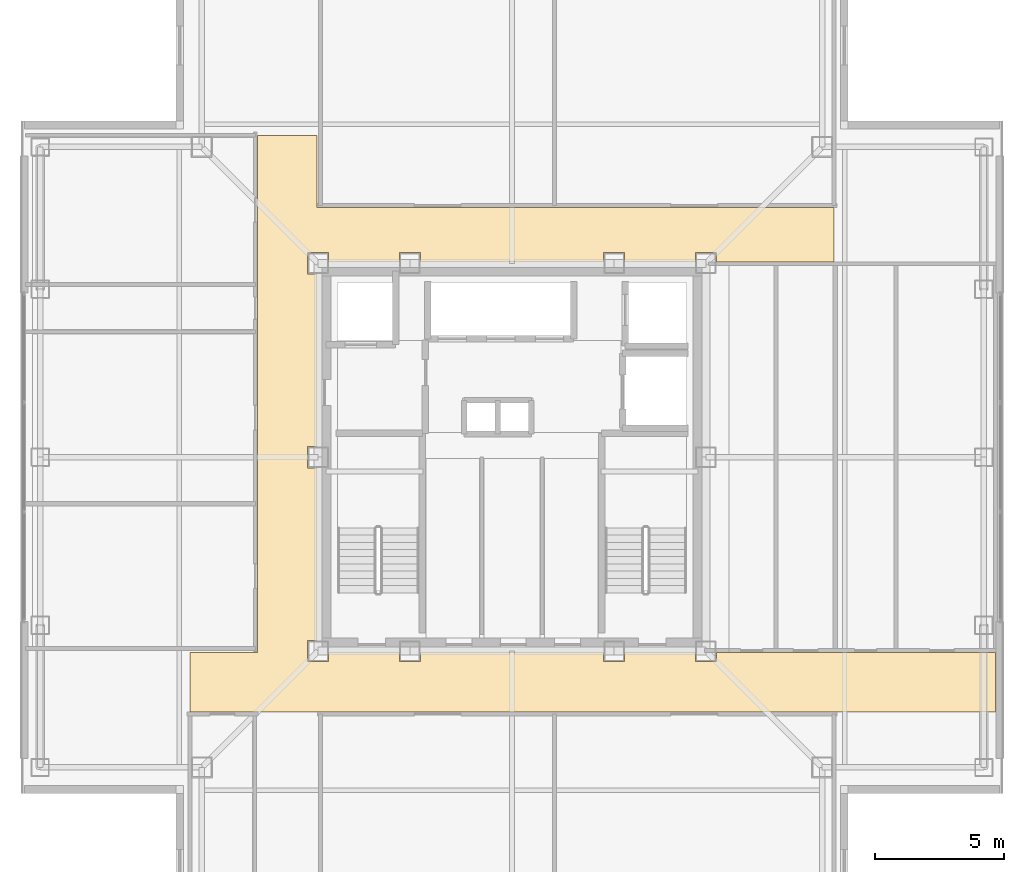
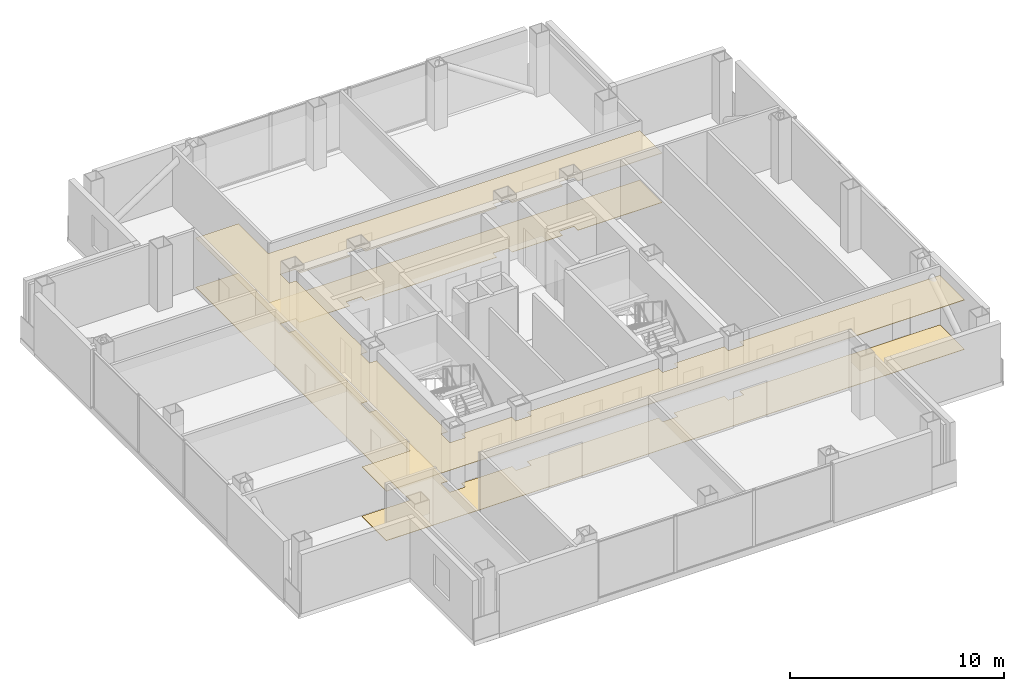
# One storey, part 14 of 16: 2 coverings.
"""IFC4 building model written with IfcOpenShell, lengths in metres."""

from ifc_helpers import new_model, si_unit, direction, frame, origin, place, context, subcontext, project, spatial, polyline, outline, extrude, material, layer, layer_set, type_object, element, save


model = new_model("IFC4")

# Units and contexts
model_context = context("Model", 3, precision=1e-05, world=origin(), true_north=direction((0.0, 1.0)))
body_context = subcontext(model_context, "Body", "Model", "MODEL_VIEW")
ifc_project = project(units=[si_unit("LENGTHUNIT", "METRE"), si_unit("AREAUNIT", "SQUARE_METRE"), si_unit("VOLUMEUNIT", "CUBIC_METRE"), si_unit("PLANEANGLEUNIT", "RADIAN"), si_unit("MASSUNIT", "GRAM", prefix="KILO")], contexts=[model_context])

# Site, building, storey
site_placement = place(None, origin())
site = spatial("IfcSite", under=ifc_project, at=site_placement, CompositionType="ELEMENT")
building_placement = place(site_placement, origin())
building = spatial("IfcBuilding", under=site, at=building_placement, Name="Trevonay Congress Spire", CompositionType="ELEMENT")
storey_placement = place(building_placement, frame((0.0, 0.0, 279.199951171875)))
storey = spatial("IfcBuildingStorey", under=building, at=storey_placement, Name="L73", CompositionType="ELEMENT", Elevation=279.199951171875)

# Coverings
ifc_material_1 = material(Name="Acoustic Mineral Fibre Board", Category="gypsum")
ifc_layer_1 = layer(ifc_material_1, 0.02490234375, Name="Acoustic Mineral Fibre Board")
ifc_layer_set_1 = layer_set([ifc_layer_1], Name="Acoustic Mineral Fibre Board")
covering_type_1 = type_object("IfcCoveringType", Name="COV-CEIL-ACOUSTIC", PredefinedType="CEILING", material=ifc_layer_set_1)
covering_1_placement = place(storey_placement, frame((0.0, 0.0, 2.81005859375)))
element("IfcCovering", 1, at=covering_1_placement, inside=storey, type_object=covering_type_1, Name="L73 Cruciform Boulevard Corridor acoustic suspended ceiling", PredefinedType="CEILING", context=body_context, shape_type="SweptSolid", body=[
    extrude(outline(polyline([(18.699951171875, -7.550048828125), (18.699951171875, -9.85009765625), (-12.449951171875, -9.85009765625), (-12.449951171875, -7.550048828125), (-9.85009765625, -7.550048828125), (-9.85009765625, 12.449951171875), (-7.550048828125, 12.449951171875), (-7.550048828125, 9.64990234375), (12.449951171875, 9.64990234375), (12.449951171875, 7.550048828125), (7.909912109375, 7.550048828125), (7.909912109375, 7.909912109375), (7.090087890625, 7.909912109375), (7.090087890625, 7.550048828125), (4.360107421875, 7.550048828125), (4.360107421875, 7.909912109375), (3.5400390625, 7.909912109375), (3.5400390625, 7.550048828125), (-3.5400390625, 7.550048828125), (-3.5400390625, 7.909912109375), (-4.360107421875, 7.909912109375), (-4.360107421875, 7.550048828125), (-7.090087890625, 7.550048828125), (-7.090087890625, 7.909912109375), (-7.909912109375, 7.909912109375), (-7.909912109375, 7.090087890625), (-7.550048828125, 7.090087890625), (-7.550048828125, 0.409912109375), (-7.909912109375, 0.409912109375), (-7.909912109375, -0.409912109375), (-7.550048828125, -0.409912109375), (-7.550048828125, -7.090087890625), (-7.909912109375, -7.090087890625), (-7.909912109375, -7.909912109375), (-7.090087890625, -7.909912109375), (-7.090087890625, -7.550048828125), (-4.360107421875, -7.550048828125), (-4.360107421875, -7.909912109375), (-3.5400390625, -7.909912109375), (-3.5400390625, -7.550048828125), (3.5400390625, -7.550048828125), (3.5400390625, -7.909912109375), (4.360107421875, -7.909912109375), (4.360107421875, -7.550048828125), (7.090087890625, -7.550048828125), (7.090087890625, -7.909912109375), (7.909912109375, -7.909912109375), (7.909912109375, -7.550048828125), (18.699951171875, -7.550048828125)])), origin(), (0.0, 0.0, 1.0), 0.02490234375),
])
ifc_material_2 = material(Name="Polished Granite Floor Tile", Category="masonry")
ifc_layer_2 = layer(ifc_material_2, 0.02001953125, Name="Polished Granite Floor Tile")
ifc_layer_set_2 = layer_set([ifc_layer_2], Name="Polished Granite Floor Tile")
covering_type_2 = type_object("IfcCoveringType", Name="COV-FLOOR-STONE", PredefinedType="FLOORING", material=ifc_layer_set_2)
covering_2_placement = place(storey_placement, origin())
element("IfcCovering", 2, at=covering_2_placement, inside=storey, type_object=covering_type_2, Name="L73 Cruciform Boulevard Corridor floor finish", PredefinedType="FLOORING", context=body_context, shape_type="SweptSolid", body=[
    extrude(outline(polyline([(18.699951171875, -7.550048828125), (18.699951171875, -9.85009765625), (-12.449951171875, -9.85009765625), (-12.449951171875, -7.550048828125), (-9.85009765625, -7.550048828125), (-9.85009765625, 12.449951171875), (-7.550048828125, 12.449951171875), (-7.550048828125, 9.64990234375), (12.449951171875, 9.64990234375), (12.449951171875, 7.550048828125), (7.909912109375, 7.550048828125), (7.909912109375, 7.909912109375), (7.090087890625, 7.909912109375), (7.090087890625, 7.550048828125), (4.360107421875, 7.550048828125), (4.360107421875, 7.909912109375), (3.5400390625, 7.909912109375), (3.5400390625, 7.550048828125), (-3.5400390625, 7.550048828125), (-3.5400390625, 7.909912109375), (-4.360107421875, 7.909912109375), (-4.360107421875, 7.550048828125), (-7.090087890625, 7.550048828125), (-7.090087890625, 7.909912109375), (-7.909912109375, 7.909912109375), (-7.909912109375, 7.090087890625), (-7.550048828125, 7.090087890625), (-7.550048828125, 0.409912109375), (-7.909912109375, 0.409912109375), (-7.909912109375, -0.409912109375), (-7.550048828125, -0.409912109375), (-7.550048828125, -7.090087890625), (-7.909912109375, -7.090087890625), (-7.909912109375, -7.909912109375), (-7.090087890625, -7.909912109375), (-7.090087890625, -7.550048828125), (-4.360107421875, -7.550048828125), (-4.360107421875, -7.909912109375), (-3.5400390625, -7.909912109375), (-3.5400390625, -7.550048828125), (3.5400390625, -7.550048828125), (3.5400390625, -7.909912109375), (4.360107421875, -7.909912109375), (4.360107421875, -7.550048828125), (7.090087890625, -7.550048828125), (7.090087890625, -7.909912109375), (7.909912109375, -7.909912109375), (7.909912109375, -7.550048828125), (18.699951171875, -7.550048828125)])), origin(), (0.0, 0.0, 1.0), 0.02001953125),
])

save(model, "model.ifc")
